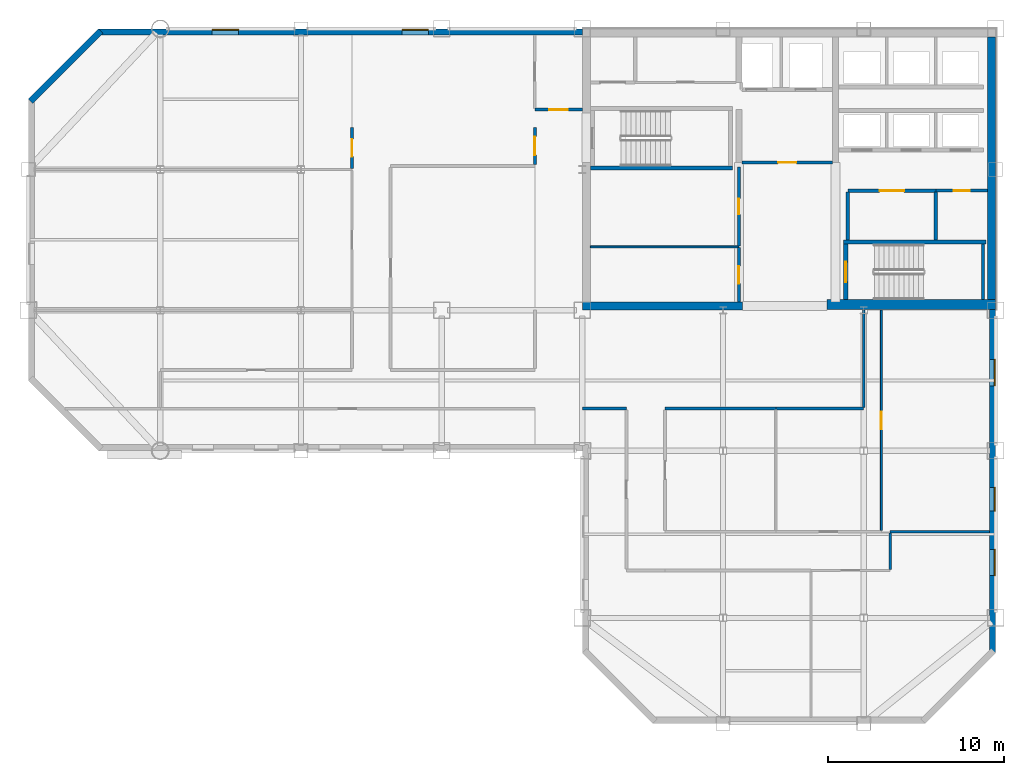
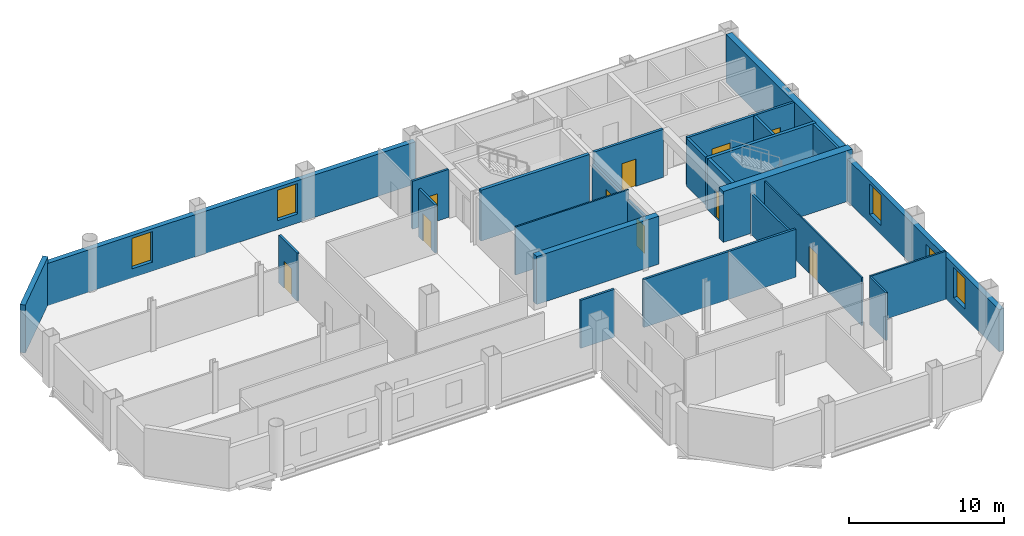
# One storey, part 5 of 10: 28 walls, 10 doors, 5 windows, 15 openings.
"""IFC4 building model written with IfcOpenShell, lengths in metres."""

from ifc_helpers import new_model, si_unit, direction, frame, frame_2d, origin, place, context, subcontext, project, spatial, rectangle, extrude, material, layer, layer_set, type_object, element, fill, save


model = new_model("IFC4")

# Units and contexts
model_context = context("Model", 3, precision=1e-05, world=origin(), true_north=direction((0.0, 1.0)))
body_context = subcontext(model_context, "Body", "Model", "MODEL_VIEW")
ifc_project = project(units=[si_unit("LENGTHUNIT", "METRE"), si_unit("AREAUNIT", "SQUARE_METRE"), si_unit("VOLUMEUNIT", "CUBIC_METRE"), si_unit("PLANEANGLEUNIT", "RADIAN"), si_unit("MASSUNIT", "GRAM", prefix="KILO")], contexts=[model_context])

# Site, building, storey
site_placement = place(None, origin())
site = spatial("IfcSite", under=ifc_project, at=site_placement, CompositionType="ELEMENT")
building_placement = place(site_placement, origin())
building = spatial("IfcBuilding", under=site, at=building_placement, Name="Qianrong Seaharbour Tower", CompositionType="ELEMENT")
storey_placement = place(building_placement, frame((0.0, 0.0, 245.800048828125)))
storey = spatial("IfcBuildingStorey", under=building, at=storey_placement, Name="L59", CompositionType="ELEMENT", Elevation=245.800048828125)

# Walls
ifc_material_1 = material(Name="Concrete C60/75", Category="concrete")
ifc_layer_1 = layer(ifc_material_1, 0.4599609375)
ifc_layer_set_1 = layer_set([ifc_layer_1], Name="Concrete C60/75")
wall_type_1 = type_object("IfcWallType", Name="WALL-CORE-460", PredefinedType="SHEAR", material=ifc_layer_set_1)
wall_1_placement = place(storey_placement, frame((63.77001953125, 36.320068359375, 0.0), z_axis=(0.0, 0.0, 1.0), x_axis=(0.0, 1.0, 0.0)))
element("IfcWall", 1, at=wall_1_placement, inside=storey, type_object=wall_type_1, Name="L59 East Core Shear Wall", PredefinedType="SHEAR", context=body_context, shape_type="SweptSolid", body=[
    extrude(rectangle(XDim=15.219970703125, YDim=0.4599609375, at=frame_2d((7.60986328125, 0.0))), origin(), (0.0, 0.0, 1.0), 3.77490234375),
])
wall_2_placement = place(storey_placement, frame((40.5, 36.22998046875, 0.0), z_axis=(0.0, 0.0, 1.0), x_axis=(1.0, 0.0, 0.0)))
element("IfcWall", 2, at=wall_2_placement, inside=storey, type_object=wall_type_1, Name="L59 South Core Shear Wall S1", PredefinedType="SHEAR", context=body_context, shape_type="SweptSolid", body=[
    extrude(rectangle(XDim=9.10009765625, YDim=0.4599609375, at=frame_2d((4.550048828125, 0.0))), origin(), (0.0, 0.0, 1.0), 3.77490234375),
])
ifc_material_2 = material(Name="Concrete C70/85", Category="concrete")
ifc_layer_2 = layer(ifc_material_2, 0.580078125)
ifc_layer_set_2 = layer_set([ifc_layer_2], Name="Concrete C70/85")
wall_type_2 = type_object("IfcWallType", Name="WALL-CORE-580", PredefinedType="SHEAR", material=ifc_layer_set_2)
wall_3_placement = place(storey_placement, frame((54.39990234375, 36.320068359375, 0.0), z_axis=(0.0, 0.0, 1.0), x_axis=(1.0, 0.0, 0.0)))
element("IfcWall", 3, at=wall_3_placement, inside=storey, type_object=wall_type_2, Name="L59 South Core Shear Wall S3", PredefinedType="SHEAR", context=body_context, shape_type="SweptSolid", body=[
    extrude(rectangle(XDim=9.60009765625, YDim=0.580078125, at=frame_2d((4.800048828125, 0.0))), origin(), (0.0, 0.0, 1.0), 4.0),
])

# Wall, opening, door
ifc_material_3 = material(Name="Fire-rated acoustic gypsum board partition")
ifc_layer_3 = layer(ifc_material_3, 0.1650390625)
ifc_layer_set_3 = layer_set([ifc_layer_3], Name="Fire-rated acoustic gypsum board partition")
wall_type_3 = type_object("IfcWallType", Name="WALL-CORR-PART-165", PredefinedType="PARTITIONING", material=ifc_layer_set_3)
wall_4_placement = place(storey_placement, frame((37.800048828125, 47.39990234375, 0.0), z_axis=(0.0, 0.0, 1.0), x_axis=(1.0, 0.0, 0.0)))
wall_4 = element("IfcWall", 4, at=wall_4_placement, inside=storey, type_object=wall_type_3, Name="L59 Interior Partition Wall 001", PredefinedType="PARTITIONING", context=body_context, shape_type="SweptSolid", body=[
    extrude(rectangle(XDim=2.699951171875, YDim=0.1650390625, at=frame_2d((1.35009765625, 0.0))), origin(), (0.0, 0.0, 1.0), 3.77490234375),
])
opening_1_placement = place(wall_4_placement, frame((0.824951171875, 0.0, 0.0)))
opening_1 = element("IfcOpeningElement", 5, at=opening_1_placement, cuts=wall_4, Name="Opening DC-01", PredefinedType="OPENING", context=body_context, shape_type="SweptSolid", body=[
    extrude(rectangle(XDim=1.050048828125, YDim=2.14990234375, at=frame_2d((0.52490234375, 1.074951171875))), frame((0.0, 0.092529296875, 0.0), z_axis=(0.0, -1.0, 0.0), x_axis=(1.0, 0.0, 0.0)), (0.0, 0.0, 1.0), 0.18505859375),
])
ifc_material_4 = material(Name="Acoustic timber and galvanized steel fire door assembly", Category="steel")
door_type_1 = type_object("IfcDoorType", Name="DOOR-CORR-FD60-1050x2150", OperationType="NOTDEFINED", PredefinedType="DOOR", material=ifc_material_4)
door_1_placement = place(opening_1_placement, origin())
door_1 = element("IfcDoor", 6, at=door_1_placement, inside=storey, type_object=door_type_1, Name="L59 Smokeproof Stair Vestibule ST-1 Door", OperationType="SINGLE_SWING_RIGHT", OverallHeight=2.14990234375, OverallWidth=1.050048828125, PredefinedType="DOOR", context=body_context, shape_type="SweptSolid", body=[
    extrude(rectangle(XDim=1.050048828125, YDim=2.14990234375, at=frame_2d((0.52490234375, 1.074951171875))), frame((0.0, 0.02490234375, 0.0), z_axis=(0.0, -1.0, 0.0), x_axis=(1.0, 0.0, 0.0)), (0.0, 0.0, 1.0), 0.050048828125),
])
fill(opening_1, door_1)

wall_5_placement = place(storey_placement, frame((37.800048828125, 44.2744140625, 0.0), z_axis=(0.0, 0.0, 1.0), x_axis=(0.0, 1.0, 0.0)))
wall_5 = element("IfcWall", 7, at=wall_5_placement, inside=storey, type_object=wall_type_3, Name="L59 Interior Partition Wall 002", PredefinedType="PARTITIONING", context=body_context, shape_type="SweptSolid", body=[
    extrude(rectangle(XDim=2.12548828125, YDim=0.1650390625, at=frame_2d((1.062744140625, 0.0))), origin(), (0.0, 0.0, 1.0), 3.77490234375),
])
opening_2_placement = place(wall_5_placement, frame((0.537841796875, 0.0, 0.0)))
opening_2 = element("IfcOpeningElement", 8, at=opening_2_placement, cuts=wall_5, Name="Opening DC-01", PredefinedType="OPENING", context=body_context, shape_type="SweptSolid", body=[
    extrude(rectangle(XDim=1.050048828125, YDim=2.14990234375, at=frame_2d((0.52490234375, 1.074951171875))), frame((0.0, 0.092529296875, 0.0), z_axis=(0.0, -1.0, 0.0), x_axis=(1.0, 0.0, 0.0)), (0.0, 0.0, 1.0), 0.18505859375),
])
door_2_placement = place(opening_2_placement, origin())
door_2 = element("IfcDoor", 9, at=door_2_placement, inside=storey, type_object=door_type_1, Name="L59 Smokeproof Stair Vestibule ST-1 Door", OperationType="SINGLE_SWING_LEFT", OverallHeight=2.14990234375, OverallWidth=1.050048828125, PredefinedType="DOOR", context=body_context, shape_type="SweptSolid", body=[
    extrude(rectangle(XDim=1.050048828125, YDim=2.14990234375, at=frame_2d((0.52490234375, 1.074951171875))), frame((0.0, 0.02490234375, 0.0), z_axis=(0.0, -1.0, 0.0), x_axis=(1.0, 0.0, 0.0)), (0.0, 0.0, 1.0), 0.050048828125),
])
fill(opening_2, door_2)

wall_6_placement = place(storey_placement, frame((49.39990234375, 36.4599609375, 0.0), z_axis=(0.0, 0.0, 1.0), x_axis=(0.0, 1.0, 0.0)))
wall_6 = element("IfcWall", 10, at=wall_6_placement, inside=storey, type_object=wall_type_3, Name="L59 Interior Partition Wall 007", PredefinedType="PARTITIONING", context=body_context, shape_type="SweptSolid", body=[
    extrude(rectangle(XDim=3.093017578125, YDim=0.1650390625, at=frame_2d((1.54638671875, 0.0))), origin(), (0.0, 0.0, 1.0), 3.016845703125),
])
opening_3_placement = place(wall_6_placement, frame((1.04638671875, 0.0, 0.0)))
opening_3 = element("IfcOpeningElement", 11, at=opening_3_placement, cuts=wall_6, Name="Opening DO-01", PredefinedType="OPENING", context=body_context, shape_type="SweptSolid", body=[
    extrude(rectangle(XDim=1.0, YDim=2.14990234375, at=frame_2d((0.5, 1.074951171875))), frame((0.0, 0.092529296875, 0.0), z_axis=(0.0, -1.0, 0.0), x_axis=(1.0, 0.0, 0.0)), (0.0, 0.0, 1.0), 0.18505859375),
])
door_type_2 = type_object("IfcDoorType", Name="DOOR-OFFICE-1000x2150", OperationType="NOTDEFINED", PredefinedType="DOOR", material=ifc_material_4)
door_3_placement = place(opening_3_placement, origin())
door_3 = element("IfcDoor", 12, at=door_3_placement, inside=storey, type_object=door_type_2, Name="L59 Wellness Room Door", OperationType="SINGLE_SWING_RIGHT", OverallHeight=2.14990234375, OverallWidth=1.0, PredefinedType="DOOR", context=body_context, shape_type="SweptSolid", body=[
    extrude(rectangle(XDim=1.0, YDim=2.14990234375, at=frame_2d((0.5, 1.074951171875))), frame((0.0, 0.02490234375, 0.0), z_axis=(0.0, -1.0, 0.0), x_axis=(1.0, 0.0, 0.0)), (0.0, 0.0, 1.0), 0.050048828125),
])
fill(opening_3, door_3)

wall_7_placement = place(storey_placement, frame((49.39990234375, 39.64697265625, 0.0), z_axis=(0.0, 0.0, 1.0), x_axis=(0.0, 1.0, 0.0)))
wall_7 = element("IfcWall", 13, at=wall_7_placement, inside=storey, type_object=wall_type_3, Name="L59 Interior Partition Wall 008", PredefinedType="PARTITIONING", context=body_context, shape_type="SweptSolid", body=[
    extrude(rectangle(XDim=4.5029296875, YDim=0.1650390625, at=frame_2d((2.25146484375, 0.0))), origin(), (0.0, 0.0, 1.0), 3.016845703125),
])
opening_4_placement = place(wall_7_placement, frame((1.801513671875, 0.0, 0.0)))
opening_4 = element("IfcOpeningElement", 14, at=opening_4_placement, cuts=wall_7, Name="Opening DS-01", PredefinedType="OPENING", context=body_context, shape_type="SweptSolid", body=[
    extrude(rectangle(XDim=0.89990234375, YDim=2.14990234375, at=frame_2d((0.449951171875, 1.074951171875))), frame((0.0, 0.092529296875, 0.0), z_axis=(0.0, -1.0, 0.0), x_axis=(1.0, 0.0, 0.0)), (0.0, 0.0, 1.0), 0.18505859375),
])
door_type_3 = type_object("IfcDoorType", Name="DOOR-STORE-900x2150", OperationType="NOTDEFINED", PredefinedType="DOOR", material=ifc_material_4)
door_4_placement = place(opening_4_placement, origin())
door_4 = element("IfcDoor", 15, at=door_4_placement, inside=storey, type_object=door_type_3, Name="L59 Equipment Store Room Door", OperationType="SINGLE_SWING_LEFT", OverallHeight=2.14990234375, OverallWidth=0.89990234375, PredefinedType="DOOR", context=body_context, shape_type="SweptSolid", body=[
    extrude(rectangle(XDim=0.89990234375, YDim=2.14990234375, at=frame_2d((0.449951171875, 1.074951171875))), frame((0.0, 0.02490234375, 0.0), z_axis=(0.0, -1.0, 0.0), x_axis=(1.0, 0.0, 0.0)), (0.0, 0.0, 1.0), 0.050048828125),
])
fill(opening_4, door_4)

wall_8_placement = place(storey_placement, frame((63.5400390625, 42.800048828125, 0.0), z_axis=(0.0, 0.0, 1.0), x_axis=(-1.0, 0.0, 0.0)))
wall_8 = element("IfcWall", 16, at=wall_8_placement, inside=storey, type_object=wall_type_3, Name="L59 Interior Partition Wall 012", PredefinedType="PARTITIONING", context=body_context, shape_type="SweptSolid", body=[
    extrude(rectangle(XDim=2.93994140625, YDim=0.1650390625, at=frame_2d((1.469970703125, 0.0))), origin(), (0.0, 0.0, 1.0), 3.77490234375),
])
opening_5_placement = place(wall_8_placement, frame((1.02001953125, 0.0, 0.0)))
opening_5 = element("IfcOpeningElement", 17, at=opening_5_placement, cuts=wall_8, Name="Opening DS-01", PredefinedType="OPENING", context=body_context, shape_type="SweptSolid", body=[
    extrude(rectangle(XDim=0.89990234375, YDim=2.14990234375, at=frame_2d((0.449951171875, 1.074951171875))), frame((0.0, 0.092529296875, 0.0), z_axis=(0.0, -1.0, 0.0), x_axis=(1.0, 0.0, 0.0)), (0.0, 0.0, 1.0), 0.18505859375),
])
door_5_placement = place(opening_5_placement, origin())
door_5 = element("IfcDoor", 18, at=door_5_placement, inside=storey, type_object=door_type_3, Name="L59 Housekeeping Linen Store Door", OperationType="SINGLE_SWING_LEFT", OverallHeight=2.14990234375, OverallWidth=0.89990234375, PredefinedType="DOOR", context=body_context, shape_type="SweptSolid", body=[
    extrude(rectangle(XDim=0.89990234375, YDim=2.14990234375, at=frame_2d((0.449951171875, 1.074951171875))), frame((0.0, 0.02490234375, 0.0), z_axis=(0.0, -1.0, 0.0), x_axis=(1.0, 0.0, 0.0)), (0.0, 0.0, 1.0), 0.050048828125),
])
fill(opening_5, door_5)

wall_9_placement = place(storey_placement, frame((27.39990234375, 44.056884765625, 0.0), z_axis=(0.0, 0.0, 1.0), x_axis=(0.0, 1.0, 0.0)))
wall_9 = element("IfcWall", 19, at=wall_9_placement, inside=storey, type_object=wall_type_3, Name="L59 Interior Partition Wall 022", PredefinedType="PARTITIONING", context=body_context, shape_type="SweptSolid", body=[
    extrude(rectangle(XDim=2.343017578125, YDim=0.1650390625, at=frame_2d((1.17138671875, 0.0))), origin(), (0.0, 0.0, 1.0), 3.77490234375),
])
opening_6_placement = place(wall_9_placement, frame((0.67138671875, 0.0, 0.0)))
opening_6 = element("IfcOpeningElement", 20, at=opening_6_placement, cuts=wall_9, Name="Opening DO-01", PredefinedType="OPENING", context=body_context, shape_type="SweptSolid", body=[
    extrude(rectangle(XDim=1.0, YDim=2.14990234375, at=frame_2d((0.5, 1.074951171875))), frame((0.0, 0.092529296875, 0.0), z_axis=(0.0, -1.0, 0.0), x_axis=(1.0, 0.0, 0.0)), (0.0, 0.0, 1.0), 0.18505859375),
])
door_6_placement = place(opening_6_placement, origin())
door_6 = element("IfcDoor", 21, at=door_6_placement, inside=storey, type_object=door_type_2, Name="L59 Hospitality Dining Room 3 Door", OperationType="SINGLE_SWING_LEFT", OverallHeight=2.14990234375, OverallWidth=1.0, PredefinedType="DOOR", context=body_context, shape_type="SweptSolid", body=[
    extrude(rectangle(XDim=1.0, YDim=2.14990234375, at=frame_2d((0.5, 1.074951171875))), frame((0.0, 0.02490234375, 0.0), z_axis=(0.0, -1.0, 0.0), x_axis=(1.0, 0.0, 0.0)), (0.0, 0.0, 1.0), 0.050048828125),
])
fill(opening_6, door_6)

# Walls
wall_10_placement = place(storey_placement, frame((51.5, 30.39990234375, 0.0), z_axis=(0.0, 0.0, 1.0), x_axis=(-1.0, 0.0, 0.0)))
element("IfcWall", 22, at=wall_10_placement, inside=storey, type_object=wall_type_3, Name="L59 Interior Partition Wall 025", PredefinedType="PARTITIONING", context=body_context, shape_type="SweptSolid", body=[
    extrude(rectangle(XDim=6.300048828125, YDim=0.1650390625, at=frame_2d((3.14990234375, 0.0))), origin(), (0.0, 0.0, 1.0), 3.77490234375),
])
wall_11_placement = place(storey_placement, frame((56.5, 36.0, 0.0), z_axis=(0.0, 0.0, 1.0), x_axis=(0.0, -1.0, 0.0)))
element("IfcWall", 23, at=wall_11_placement, inside=storey, type_object=wall_type_3, Name="L59 Interior Partition Wall 026", PredefinedType="PARTITIONING", context=body_context, shape_type="SweptSolid", body=[
    extrude(rectangle(XDim=5.525390625, YDim=0.1650390625, at=frame_2d((2.7626953125, 0.0))), origin(), (0.0, 0.0, 1.0), 3.178955078125),
])
wall_12_placement = place(storey_placement, frame((56.5, 30.39990234375, 0.0), z_axis=(0.0, 0.0, 1.0), x_axis=(-1.0, 0.0, 0.0)))
element("IfcWall", 24, at=wall_12_placement, inside=storey, type_object=wall_type_3, Name="L59 Interior Partition Wall 027", PredefinedType="PARTITIONING", context=body_context, shape_type="SweptSolid", body=[
    extrude(rectangle(XDim=5.0, YDim=0.1650390625, at=frame_2d((2.5, 0.0))), origin(), (0.0, 0.0, 1.0), 3.77490234375),
])
wall_13_placement = place(storey_placement, frame((43.0, 30.39990234375, 0.0), z_axis=(0.0, 0.0, 1.0), x_axis=(-1.0, 0.0, 0.0)))
element("IfcWall", 25, at=wall_13_placement, inside=storey, type_object=wall_type_3, Name="L59 Interior Partition Wall 028", PredefinedType="PARTITIONING", context=body_context, shape_type="SweptSolid", body=[
    extrude(rectangle(XDim=2.5, YDim=0.1650390625, at=frame_2d((1.25, 0.0))), origin(), (0.0, 0.0, 1.0), 3.77490234375),
])
ifc_material_5 = material(Name="Demountable aluminium-framed acoustic office partition", Category="aluminium")
ifc_layer_4 = layer(ifc_material_5, 0.110107421875)
ifc_layer_set_4 = layer_set([ifc_layer_4], Name="Demountable aluminium-framed acoustic office partition")
wall_type_4 = type_object("IfcWallType", Name="WALL-DEMOUNT-110", PredefinedType="MOVABLE", material=ifc_layer_set_4)
wall_14_placement = place(storey_placement, frame((40.9599609375, 39.60009765625, 0.0), z_axis=(0.0, 0.0, 1.0), x_axis=(1.0, 0.0, 0.0)))
element("IfcWall", 26, at=wall_14_placement, inside=storey, type_object=wall_type_4, Name="L59 Interior Partition Wall 010", PredefinedType="MOVABLE", context=body_context, shape_type="SweptSolid", body=[
    extrude(rectangle(XDim=8.43994140625, YDim=0.110107421875, at=frame_2d((4.219970703125, 0.0))), origin(), (0.0, 0.0, 1.0), 3.77490234375),
])

# Wall, opening, door
wall_15_placement = place(storey_placement, frame((57.5, 36.0, 0.0), z_axis=(0.0, 0.0, 1.0), x_axis=(0.0, -1.0, 0.0)))
wall_15 = element("IfcWall", 27, at=wall_15_placement, inside=storey, type_object=wall_type_4, Name="L59 Interior Partition Wall 041", PredefinedType="MOVABLE", context=body_context, shape_type="SweptSolid", body=[
    extrude(rectangle(XDim=12.525390625, YDim=0.110107421875, at=frame_2d((6.2626953125, 0.0))), origin(), (0.0, 0.0, 1.0), 3.77490234375),
])
opening_7_placement = place(wall_15_placement, frame((5.7626953125, 0.0, 0.0)))
opening_7 = element("IfcOpeningElement", 28, at=opening_7_placement, cuts=wall_15, Name="Opening DO-01", PredefinedType="OPENING", context=body_context, shape_type="SweptSolid", body=[
    extrude(rectangle(XDim=1.0, YDim=2.14990234375, at=frame_2d((0.5, 1.074951171875))), frame((0.0, 0.06494140625, 0.0), z_axis=(0.0, -1.0, 0.0), x_axis=(1.0, 0.0, 0.0)), (0.0, 0.0, 1.0), 0.130126953125),
])
door_7_placement = place(opening_7_placement, origin())
door_7 = element("IfcDoor", 29, at=door_7_placement, inside=storey, type_object=door_type_2, Name="L59 Staff Lounge 3 Door", OperationType="SINGLE_SWING_RIGHT", OverallHeight=2.14990234375, OverallWidth=1.0, PredefinedType="DOOR", context=body_context, shape_type="SweptSolid", body=[
    extrude(rectangle(XDim=1.0, YDim=2.14990234375, at=frame_2d((0.5, 1.074951171875))), frame((0.0, 0.02490234375, 0.0), z_axis=(0.0, -1.0, 0.0), x_axis=(1.0, 0.0, 0.0)), (0.0, 0.0, 1.0), 0.050048828125),
])
fill(opening_7, door_7)

# Wall
ifc_material_6 = material(Name="Unitised red brick on Precast concrete C45/55", Category="masonry")
ifc_layer_5 = layer(ifc_material_6, 0.360107421875)
ifc_layer_set_5 = layer_set([ifc_layer_5], Name="Unitised red brick on Precast concrete C45/55")
wall_type_5 = type_object("IfcWallType", Name="WALL-EXT-BRICK-RED-360", PredefinedType="SOLIDWALL", material=ifc_layer_set_5)
wall_16_placement = place(storey_placement, frame((9.127197265625, 47.872802734375, 0.0), z_axis=(0.0, 0.0, 1.0), x_axis=(0.707106781187, 0.707106781187, 0.0)))
element("IfcWall", 30, at=wall_16_placement, inside=storey, type_object=wall_type_5, Name="L59 Exterior Masonry Facade Wall E04", PredefinedType="SOLIDWALL", context=body_context, shape_type="SweptSolid", body=[
    extrude(rectangle(XDim=5.65673828125, YDim=0.360107421875, at=frame_2d((2.828369140625, 0.0))), origin(), (0.0, 0.0, 1.0), 3.77490234375),
])

# Wall, openings, windows
wall_17_placement = place(storey_placement, frame((13.0, 51.820068359375, 0.0), z_axis=(0.0, 0.0, 1.0), x_axis=(1.0, 0.0, 0.0)))
wall_17 = element("IfcWall", 31, at=wall_17_placement, inside=storey, type_object=wall_type_5, Name="L59 Exterior Masonry Facade Wall NORTH_WING", PredefinedType="SOLIDWALL", context=body_context, shape_type="SweptSolid", body=[
    extrude(rectangle(XDim=27.52001953125, YDim=0.360107421875, at=frame_2d((13.760009765625, 0.0))), origin(), (0.0, 0.0, 1.0), 3.324951171875),
])
opening_8_placement = place(wall_17_placement, frame((6.449951171875, 0.0, 0.699951171875)))
opening_8 = element("IfcOpeningElement", 32, at=opening_8_placement, cuts=wall_17, Name="Opening WN-08", PredefinedType="OPENING", context=body_context, shape_type="SweptSolid", body=[
    extrude(rectangle(XDim=1.5, YDim=2.39990234375, at=frame_2d((0.75, 1.199951171875))), frame((0.0, 0.18994140625, 0.0), z_axis=(0.0, -1.0, 0.0), x_axis=(1.0, 0.0, 0.0)), (0.0, 0.0, 1.0), 0.380126953125),
])
opening_9_placement = place(wall_17_placement, frame((17.25, 0.0, 0.699951171875)))
opening_9 = element("IfcOpeningElement", 33, at=opening_9_placement, cuts=wall_17, Name="Opening WN-08", PredefinedType="OPENING", context=body_context, shape_type="SweptSolid", body=[
    extrude(rectangle(XDim=1.5, YDim=2.39990234375, at=frame_2d((0.75, 1.199951171875))), frame((0.0, 0.18994140625, 0.0), z_axis=(0.0, -1.0, 0.0), x_axis=(1.0, 0.0, 0.0)), (0.0, 0.0, 1.0), 0.380126953125),
])
ifc_material_7 = material(Name="Insulated low-e double glazing in thermally broken aluminium 6063-T6 frame", Category="aluminium")
window_type_1 = type_object("IfcWindowType", Name="WIN-PUNCH-1500x2400", PartitioningType="DOUBLE_PANEL_HORIZONTAL", PredefinedType="WINDOW", material=ifc_material_7)
window_1_placement = place(opening_8_placement, origin())
window_1 = element("IfcWindow", 34, at=window_1_placement, inside=storey, type_object=window_type_1, Name="L59 Deep-Set Punched Window 05.02", OverallHeight=2.39990234375, OverallWidth=1.5, PartitioningType="DOUBLE_PANEL_HORIZONTAL", PredefinedType="WINDOW", context=body_context, shape_type="SweptSolid", body=[
    extrude(rectangle(XDim=1.5, YDim=2.39990234375, at=frame_2d((0.75, 1.199951171875))), frame((0.0, 0.150146484375, 0.0), z_axis=(0.0, -1.0, 0.0), x_axis=(1.0, 0.0, 0.0)), (0.0, 0.0, 1.0), 0.06005859375),
])
fill(opening_8, window_1)
window_2_placement = place(opening_9_placement, origin())
window_2 = element("IfcWindow", 35, at=window_2_placement, inside=storey, type_object=window_type_1, Name="L59 Deep-Set Punched Window 05.05", OverallHeight=2.39990234375, OverallWidth=1.5, PartitioningType="DOUBLE_PANEL_HORIZONTAL", PredefinedType="WINDOW", context=body_context, shape_type="SweptSolid", body=[
    extrude(rectangle(XDim=1.5, YDim=2.39990234375, at=frame_2d((0.75, 1.199951171875))), frame((0.0, 0.150146484375, 0.0), z_axis=(0.0, -1.0, 0.0), x_axis=(1.0, 0.0, 0.0)), (0.0, 0.0, 1.0), 0.06005859375),
])
fill(opening_9, window_2)

wall_18_placement = place(storey_placement, frame((63.820068359375, 36.050048828125, 0.0), z_axis=(0.0, 0.0, 1.0), x_axis=(0.0, -1.0, 0.0)))
wall_18 = element("IfcWall", 36, at=wall_18_placement, inside=storey, type_object=wall_type_5, Name="L59 Exterior Masonry Facade Wall EAST_WING", PredefinedType="SOLIDWALL", context=body_context, shape_type="SweptSolid", body=[
    extrude(rectangle(XDim=19.550048828125, YDim=0.360107421875, at=frame_2d((9.77490234375, 0.0))), origin(), (0.0, 0.0, 1.0), 3.324951171875),
])
opening_10_placement = place(wall_18_placement, frame((2.85009765625, 0.0, 0.699951171875)))
opening_10 = element("IfcOpeningElement", 37, at=opening_10_placement, cuts=wall_18, Name="Opening WN-08", PredefinedType="OPENING", context=body_context, shape_type="SweptSolid", body=[
    extrude(rectangle(XDim=1.5, YDim=2.39990234375, at=frame_2d((0.75, 1.199951171875))), frame((0.0, 0.18994140625, 0.0), z_axis=(0.0, -1.0, 0.0), x_axis=(1.0, 0.0, 0.0)), (0.0, 0.0, 1.0), 0.380126953125),
])
opening_11_placement = place(wall_18_placement, frame((10.125, 0.0, 0.89990234375)))
opening_11 = element("IfcOpeningElement", 38, at=opening_11_placement, cuts=wall_18, Name="Opening WN-02", PredefinedType="OPENING", context=body_context, shape_type="SweptSolid", body=[
    extrude(rectangle(XDim=1.35009765625, YDim=1.85009765625, at=frame_2d((0.675048828125, 0.925048828125))), frame((0.0, 0.18994140625, 0.0), z_axis=(0.0, -1.0, 0.0), x_axis=(1.0, 0.0, 0.0)), (0.0, 0.0, 1.0), 0.380126953125),
])
opening_12_placement = place(wall_18_placement, frame((13.64990234375, 0.0, 0.699951171875)))
opening_12 = element("IfcOpeningElement", 39, at=opening_12_placement, cuts=wall_18, Name="Opening WN-08", PredefinedType="OPENING", context=body_context, shape_type="SweptSolid", body=[
    extrude(rectangle(XDim=1.5, YDim=2.39990234375, at=frame_2d((0.75, 1.199951171875))), frame((0.0, 0.18994140625, 0.0), z_axis=(0.0, -1.0, 0.0), x_axis=(1.0, 0.0, 0.0)), (0.0, 0.0, 1.0), 0.380126953125),
])
window_type_2 = type_object("IfcWindowType", Name="WIN-PUNCH-1350x1850", PartitioningType="DOUBLE_PANEL_VERTICAL", PredefinedType="WINDOW", material=ifc_material_7)
window_3_placement = place(opening_11_placement, origin())
window_3 = element("IfcWindow", 40, at=window_3_placement, inside=storey, type_object=window_type_2, Name="L59 Deep-Set Punched Window 06.03", OverallHeight=1.85009765625, OverallWidth=1.35009765625, PartitioningType="DOUBLE_PANEL_VERTICAL", PredefinedType="WINDOW", context=body_context, shape_type="SweptSolid", body=[
    extrude(rectangle(XDim=1.35009765625, YDim=1.85009765625, at=frame_2d((0.675048828125, 0.925048828125))), frame((0.0, 0.150146484375, 0.0), z_axis=(0.0, -1.0, 0.0), x_axis=(1.0, 0.0, 0.0)), (0.0, 0.0, 1.0), 0.06005859375),
])
fill(opening_11, window_3)
window_4_placement = place(opening_10_placement, origin())
window_4 = element("IfcWindow", 41, at=window_4_placement, inside=storey, type_object=window_type_1, Name="L59 Deep-Set Punched Window 06.01", OverallHeight=2.39990234375, OverallWidth=1.5, PartitioningType="DOUBLE_PANEL_HORIZONTAL", PredefinedType="WINDOW", context=body_context, shape_type="SweptSolid", body=[
    extrude(rectangle(XDim=1.5, YDim=2.39990234375, at=frame_2d((0.75, 1.199951171875))), frame((0.0, 0.150146484375, 0.0), z_axis=(0.0, -1.0, 0.0), x_axis=(1.0, 0.0, 0.0)), (0.0, 0.0, 1.0), 0.06005859375),
])
fill(opening_10, window_4)
window_5_placement = place(opening_12_placement, origin())
window_5 = element("IfcWindow", 42, at=window_5_placement, inside=storey, type_object=window_type_1, Name="L59 Deep-Set Punched Window 06.04", OverallHeight=2.39990234375, OverallWidth=1.5, PartitioningType="DOUBLE_PANEL_HORIZONTAL", PredefinedType="WINDOW", context=body_context, shape_type="SweptSolid", body=[
    extrude(rectangle(XDim=1.5, YDim=2.39990234375, at=frame_2d((0.75, 1.199951171875))), frame((0.0, 0.150146484375, 0.0), z_axis=(0.0, -1.0, 0.0), x_axis=(1.0, 0.0, 0.0)), (0.0, 0.0, 1.0), 0.06005859375),
])
fill(opening_12, window_5)

# Wall, opening, door
ifc_material_8 = material(Name="Double fire-rated gypsum board acoustic partition")
ifc_layer_6 = layer(ifc_material_8, 0.18994140625)
ifc_layer_set_6 = layer_set([ifc_layer_6], Name="Double fire-rated gypsum board acoustic partition")
wall_type_6 = type_object("IfcWallType", Name="WALL-FIRE-PART-190", PredefinedType="PARTITIONING", material=ifc_layer_set_6)
wall_19_placement = place(storey_placement, frame((54.73291015625, 44.39990234375, 0.0), z_axis=(0.0, 0.0, 1.0), x_axis=(-1.0, 0.0, 0.0)))
wall_19 = element("IfcWall", 43, at=wall_19_placement, inside=storey, type_object=wall_type_6, Name="L59 Interior Partition Wall 006", PredefinedType="PARTITIONING", context=body_context, shape_type="SweptSolid", body=[
    extrude(rectangle(XDim=5.166015625, YDim=0.18994140625, at=frame_2d((2.5830078125, 0.0))), origin(), (0.0, 0.0, 1.0), 3.77490234375),
])
opening_13_placement = place(wall_19_placement, frame((2.05810546875, 0.0, 0.0)))
opening_13 = element("IfcOpeningElement", 44, at=opening_13_placement, cuts=wall_19, Name="Opening DC-01", PredefinedType="OPENING", context=body_context, shape_type="SweptSolid", body=[
    extrude(rectangle(XDim=1.050048828125, YDim=2.14990234375, at=frame_2d((0.52490234375, 1.074951171875))), frame((0.0, 0.10498046875, 0.0), z_axis=(0.0, -1.0, 0.0), x_axis=(1.0, 0.0, 0.0)), (0.0, 0.0, 1.0), 0.2099609375),
])
door_8_placement = place(opening_13_placement, origin())
door_8 = element("IfcDoor", 45, at=door_8_placement, inside=storey, type_object=door_type_1, Name="L59 Firefighting Lift Lobby Door", OperationType="SINGLE_SWING_LEFT", OverallHeight=2.14990234375, OverallWidth=1.050048828125, PredefinedType="DOOR", context=body_context, shape_type="SweptSolid", body=[
    extrude(rectangle(XDim=1.050048828125, YDim=2.14990234375, at=frame_2d((0.52490234375, 1.074951171875))), frame((0.0, 0.02490234375, 0.0), z_axis=(0.0, -1.0, 0.0), x_axis=(1.0, 0.0, 0.0)), (0.0, 0.0, 1.0), 0.050048828125),
])
fill(opening_13, door_8)

# Wall
wall_20_placement = place(storey_placement, frame((55.60009765625, 42.712890625, 0.0), z_axis=(0.0, 0.0, 1.0), x_axis=(0.0, -1.0, 0.0)))
element("IfcWall", 46, at=wall_20_placement, inside=storey, type_object=wall_type_6, Name="L59 Interior Partition Wall 009", PredefinedType="PARTITIONING", context=body_context, shape_type="SweptSolid", body=[
    extrude(rectangle(XDim=2.73095703125, YDim=0.18994140625, at=frame_2d((1.365478515625, 0.0))), origin(), (0.0, 0.0, 1.0), 3.77490234375),
])

# Wall, opening, door
wall_21_placement = place(storey_placement, frame((60.60009765625, 42.800048828125, 0.0), z_axis=(0.0, 0.0, 1.0), x_axis=(-1.0, 0.0, 0.0)))
wall_21 = element("IfcWall", 47, at=wall_21_placement, inside=storey, type_object=wall_type_6, Name="L59 Interior Partition Wall 011", PredefinedType="PARTITIONING", context=body_context, shape_type="SweptSolid", body=[
    extrude(rectangle(XDim=5.0, YDim=0.18994140625, at=frame_2d((2.5, 0.0))), origin(), (0.0, 0.0, 1.0), 3.77490234375),
])
opening_14_placement = place(wall_21_placement, frame((1.800048828125, 0.0, 0.0)))
opening_14 = element("IfcOpeningElement", 48, at=opening_14_placement, cuts=wall_21, Name="Opening DP-01", PredefinedType="OPENING", context=body_context, shape_type="SweptSolid", body=[
    extrude(rectangle(XDim=1.39990234375, YDim=2.25, at=frame_2d((0.699951171875, 1.125))), frame((0.0, 0.10498046875, 0.0), z_axis=(0.0, -1.0, 0.0), x_axis=(1.0, 0.0, 0.0)), (0.0, 0.0, 1.0), 0.2099609375),
])
door_type_4 = type_object("IfcDoorType", Name="DOOR-PLANT-PAIR-1400x2250", OperationType="DOUBLE_DOOR_SINGLE_SWING", PredefinedType="DOOR", material=ifc_material_4)
door_9_placement = place(opening_14_placement, origin())
door_9 = element("IfcDoor", 49, at=door_9_placement, inside=storey, type_object=door_type_4, Name="L59 Submetering Switch Room Door", OperationType="DOUBLE_DOOR_SINGLE_SWING", OverallHeight=2.25, OverallWidth=1.39990234375, PredefinedType="DOOR", context=body_context, shape_type="SweptSolid", body=[
    extrude(rectangle(XDim=1.39990234375, YDim=2.25, at=frame_2d((0.699951171875, 1.125))), frame((0.0, 0.02490234375, 0.0), z_axis=(0.0, -1.0, 0.0), x_axis=(1.0, 0.0, 0.0)), (0.0, 0.0, 1.0), 0.050048828125),
])
fill(opening_14, door_9)

# Walls
wall_22_placement = place(storey_placement, frame((60.60009765625, 42.712890625, 0.0), z_axis=(0.0, 0.0, 1.0), x_axis=(0.0, -1.0, 0.0)))
element("IfcWall", 50, at=wall_22_placement, inside=storey, type_object=wall_type_6, Name="L59 Interior Partition Wall 014", PredefinedType="PARTITIONING", context=body_context, shape_type="SweptSolid", body=[
    extrude(rectangle(XDim=2.73095703125, YDim=0.18994140625, at=frame_2d((1.365478515625, 0.0))), origin(), (0.0, 0.0, 1.0), 3.77490234375),
])
ifc_material_9 = material(Name="Concrete C50/60", Category="concrete")
ifc_layer_7 = layer(ifc_material_9, 0.239990234375)
ifc_layer_set_7 = layer_set([ifc_layer_7], Name="Concrete C50/60")
wall_type_7 = type_object("IfcWallType", Name="WALL-SHAFT-RC240", PredefinedType="SOLIDWALL", material=ifc_layer_set_7)
wall_23_placement = place(storey_placement, frame((49.0400390625, 44.080078125, 0.0), z_axis=(0.0, 0.0, 1.0), x_axis=(-1.0, 0.0, 0.0)))
element("IfcWall", 51, at=wall_23_placement, inside=storey, type_object=wall_type_7, Name="L59 ST-1 Structural Stair Core Wall S", PredefinedType="SOLIDWALL", context=body_context, shape_type="SweptSolid", body=[
    extrude(rectangle(XDim=8.080078125, YDim=0.239990234375, at=frame_2d((4.0400390625, 0.0))), origin(), (0.0, 0.0, 1.0), 4.0),
])
wall_24_placement = place(storey_placement, frame((55.360107421875, 39.8701171875, 0.0), z_axis=(0.0, 0.0, 1.0), x_axis=(1.0, 0.0, 0.0)))
element("IfcWall", 52, at=wall_24_placement, inside=storey, type_object=wall_type_7, Name="L59 ST-2 Structural Stair Core Wall N", PredefinedType="SOLIDWALL", context=body_context, shape_type="SweptSolid", body=[
    extrude(rectangle(XDim=8.079833984375, YDim=0.239990234375, at=frame_2d((4.0400390625, 0.0))), origin(), (0.0, 0.0, 1.0), 4.0),
])

# Wall, opening, door
wall_25_placement = place(storey_placement, frame((55.47998046875, 39.75, 0.0), z_axis=(0.0, 0.0, 1.0), x_axis=(0.0, -1.0, 0.0)))
wall_25 = element("IfcWall", 53, at=wall_25_placement, inside=storey, type_object=wall_type_7, Name="L59 ST-2 Structural Stair Core Wall W", PredefinedType="SOLIDWALL", context=body_context, shape_type="SweptSolid", body=[
    extrude(rectangle(XDim=3.14990234375, YDim=0.239990234375, at=frame_2d((1.574951171875, 0.0))), origin(), (0.0, 0.0, 1.0), 4.0),
])
opening_15_placement = place(wall_25_placement, frame((1.0, 0.0, 0.0)))
opening_15 = element("IfcOpeningElement", 54, at=opening_15_placement, cuts=wall_25, Name="Opening SD-01", PredefinedType="OPENING", context=body_context, shape_type="SweptSolid", body=[
    extrude(rectangle(XDim=1.14990234375, YDim=2.199951171875, at=frame_2d((0.574951171875, 1.10009765625))), frame((0.0, 0.1298828125, 0.0), z_axis=(0.0, -1.0, 0.0), x_axis=(1.0, 0.0, 0.0)), (0.0, 0.0, 1.0), 0.260009765625),
])
door_type_5 = type_object("IfcDoorType", Name="DOOR-STAIR-FD60-1150x2200", OperationType="NOTDEFINED", PredefinedType="DOOR", material=ifc_material_4)
door_10_placement = place(opening_15_placement, origin())
door_10 = element("IfcDoor", 55, at=door_10_placement, inside=storey, type_object=door_type_5, Name="L59 ST-2 Protected Stair Door", OperationType="SINGLE_SWING_RIGHT", OverallHeight=2.199951171875, OverallWidth=1.14990234375, PredefinedType="DOOR", context=body_context, shape_type="SweptSolid", body=[
    extrude(rectangle(XDim=1.14990234375, YDim=2.199951171875, at=frame_2d((0.574951171875, 1.10009765625))), frame((0.0, 0.02490234375, 0.0), z_axis=(0.0, -1.0, 0.0), x_axis=(1.0, 0.0, 0.0)), (0.0, 0.0, 1.0), 0.050048828125),
])
fill(opening_15, door_10)

# Walls
wall_26_placement = place(storey_placement, frame((63.2900390625, 36.60009765625, 0.0), z_axis=(0.0, 0.0, 1.0), x_axis=(0.0, 1.0, 0.0)))
element("IfcWall", 56, at=wall_26_placement, inside=storey, type_object=wall_type_7, Name="L59 ST-2 Structural Stair Core Wall E", PredefinedType="SOLIDWALL", context=body_context, shape_type="SweptSolid", body=[
    extrude(rectangle(XDim=3.14990234375, YDim=0.179931640625, at=frame_2d((1.574951171875, 0.0))), origin(), (0.0, 0.0, 1.0), 4.0),
])
ifc_material_10 = material(Name="Water-resistant cement board sanitary partition")
ifc_layer_8 = layer(ifc_material_10, 0.1298828125)
ifc_layer_set_8 = layer_set([ifc_layer_8], Name="Water-resistant cement board sanitary partition")
wall_type_8 = type_object("IfcWallType", Name="WALL-WET-PART-130", PredefinedType="PARTITIONING", material=ifc_layer_set_8)
wall_27_placement = place(storey_placement, frame((58.0, 23.343017578125, 0.0), z_axis=(0.0, 0.0, 1.0), x_axis=(0.0, -1.0, 0.0)))
element("IfcWall", 57, at=wall_27_placement, inside=storey, type_object=wall_type_8, Name="L59 Interior Partition Wall 035", PredefinedType="PARTITIONING", context=body_context, shape_type="SweptSolid", body=[
    extrude(rectangle(XDim=2.0859375, YDim=0.1298828125, at=frame_2d((1.04296875, 0.0))), origin(), (0.0, 0.0, 1.0), 3.77490234375),
])
wall_28_placement = place(storey_placement, frame((63.64794921875, 23.39990234375, 0.0), z_axis=(0.0, 0.0, 1.0), x_axis=(-1.0, 0.0, 0.0)))
element("IfcWall", 58, at=wall_28_placement, inside=storey, type_object=wall_type_8, Name="L59 Interior Partition Wall 042", PredefinedType="PARTITIONING", context=body_context, shape_type="SweptSolid", body=[
    extrude(rectangle(XDim=5.64794921875, YDim=0.1298828125, at=frame_2d((2.823974609375, 0.0))), origin(), (0.0, 0.0, 1.0), 3.77490234375),
])

save(model, "model.ifc")
